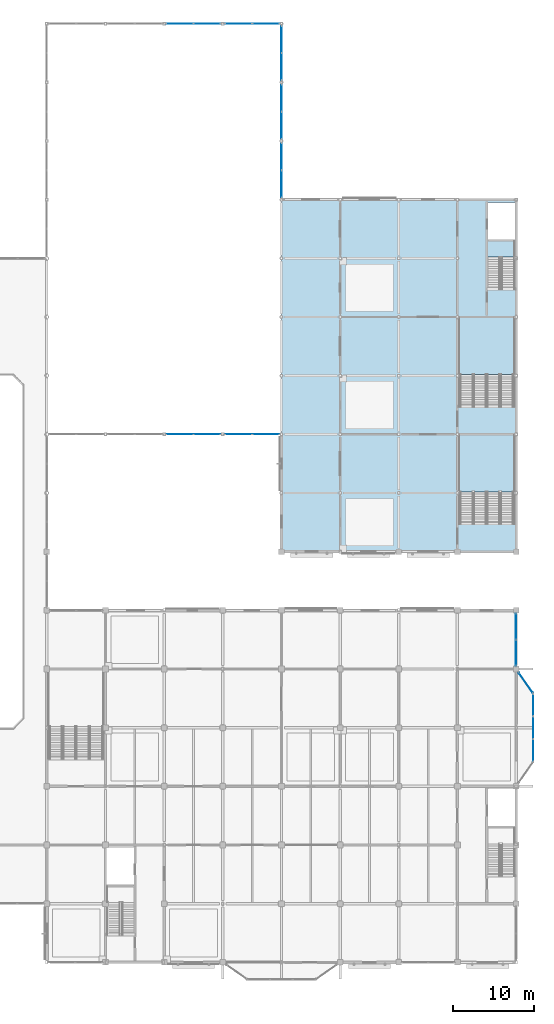
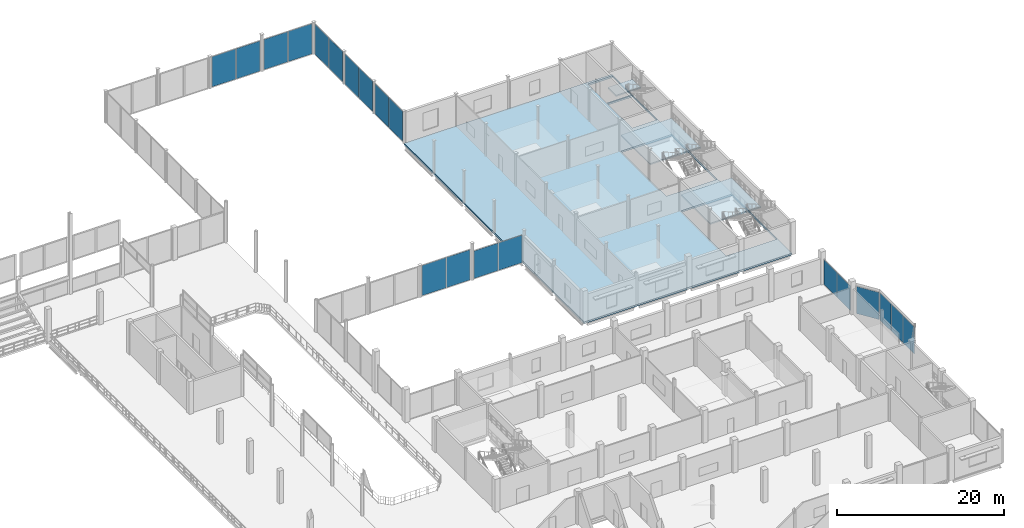
# One storey, part 85 of 120: 20 plates, 4 slabs, 13 elements without a shape of their own.
"""IFC4 building model written with IfcOpenShell, lengths in metres."""

from ifc_helpers import new_model, si_unit, direction, frame, origin, origin_2d, place, context, subcontext, project, spatial, polyline, rectangle, outline, extrude, material, layer, layer_set, type_object, element, aggregate, save


model = new_model("IFC4")

# Units and contexts
model_context = context("Model", 3, precision=1e-05, world=origin(), true_north=direction((0.0, 1.0)))
body_context = subcontext(model_context, "Body", "Model", "MODEL_VIEW")
ifc_project = project(units=[si_unit("LENGTHUNIT", "METRE"), si_unit("AREAUNIT", "SQUARE_METRE"), si_unit("VOLUMEUNIT", "CUBIC_METRE"), si_unit("PLANEANGLEUNIT", "RADIAN"), si_unit("MASSUNIT", "GRAM", prefix="KILO")], contexts=[model_context])

# Site, building, storey
site_placement = place(None, origin())
site = spatial("IfcSite", under=ifc_project, at=site_placement, CompositionType="ELEMENT")
building_placement = place(site_placement, origin())
building = spatial("IfcBuilding", under=site, at=building_placement, Name="Vesperath Aquatics Centre", CompositionType="ELEMENT")
storey_placement = place(building_placement, frame((0.0, 0.0, 10.199951171875)))
storey = spatial("IfcBuildingStorey", under=building, at=storey_placement, Name="L02", CompositionType="ELEMENT", Elevation=10.199951171875)

# Curtain wall, plates
ifc_material_1 = material(Name="Thermally broken anodised bronze aluminium curtain wall", Category="aluminium")
curtain_wall_type = type_object("IfcCurtainWallType", Name="CW-06", PredefinedType="NOTDEFINED", material=ifc_material_1)
curtain_wall_1_placement = place(storey_placement, origin())
curtain_wall_1 = element("IfcCurtainWall", 1, at=curtain_wall_1_placement, inside=storey, type_object=curtain_wall_type, Name="Facade Curtain Wall CW06 L02_S_18_09", PredefinedType="NOTDEFINED")
ifc_material_2 = material(Name="Triple low-E argon insulated vision glass", Category="glass")
ifc_layer_1 = layer(ifc_material_2, 0.035888671875)
ifc_layer_set_1 = layer_set([ifc_layer_1], Name="Triple low-E argon insulated vision glass")
plate_type = type_object("IfcPlateType", Name="PT-CWP05", PredefinedType="CURTAIN_PANEL", material=ifc_layer_set_1)
plate_1_placement = place(storey_placement, frame((131.51904296875, 64.800048828125, 0.070068359375), z_axis=(0.0, 0.0, 1.0), x_axis=(1.0, 0.0, 0.0)))
plate_1 = element("IfcPlate", 2, at=plate_1_placement, type_object=plate_type, Name="CW06 panel 1.1", PredefinedType="CURTAIN_PANEL", context=body_context, shape_type="SweptSolid", body=[
    extrude(rectangle(XDim=3.291748046875, YDim=0.035888671875, at=origin_2d()), origin(), (0.0, 0.0, 1.0), 4.419921875),
])
plate_2_placement = place(storey_placement, frame((134.880859375, 64.800048828125, 0.070068359375), z_axis=(0.0, 0.0, 1.0), x_axis=(1.0, 0.0, 0.0)))
plate_2 = element("IfcPlate", 3, at=plate_2_placement, type_object=plate_type, Name="CW06 panel 2.1", PredefinedType="CURTAIN_PANEL", context=body_context, shape_type="SweptSolid", body=[
    extrude(rectangle(XDim=3.291748046875, YDim=0.035888671875, at=origin_2d()), origin(), (0.0, 0.0, 1.0), 4.419921875),
])
aggregate(curtain_wall_1, [plate_1, plate_2])

curtain_wall_2_placement = place(storey_placement, origin())
curtain_wall_2 = element("IfcCurtainWall", 4, at=curtain_wall_2_placement, inside=storey, type_object=curtain_wall_type, Name="Facade Curtain Wall CW06 L02_S_19_09", PredefinedType="NOTDEFINED")
plate_3_placement = place(storey_placement, frame((138.718994140625, 64.800048828125, 0.06982421875), z_axis=(0.0, 0.0, 1.0), x_axis=(1.0, 0.0, 0.0)))
plate_3 = element("IfcPlate", 5, at=plate_3_placement, type_object=plate_type, Name="CW06 panel 1.1", PredefinedType="CURTAIN_PANEL", context=body_context, shape_type="SweptSolid", body=[
    extrude(rectangle(XDim=3.291748046875, YDim=0.035888671875, at=origin_2d()), origin(), (0.0, 0.0, 1.0), 4.030029296875),
])
plate_4_placement = place(storey_placement, frame((142.080810546875, 64.800048828125, 0.06982421875), z_axis=(0.0, 0.0, 1.0), x_axis=(1.0, 0.0, 0.0)))
plate_4 = element("IfcPlate", 6, at=plate_4_placement, type_object=plate_type, Name="CW06 panel 2.1", PredefinedType="CURTAIN_PANEL", context=body_context, shape_type="SweptSolid", body=[
    extrude(rectangle(XDim=3.291748046875, YDim=0.035888671875, at=origin_2d()), origin(), (0.0, 0.0, 1.0), 4.030029296875),
])
aggregate(curtain_wall_2, [plate_3, plate_4])

curtain_wall_3_placement = place(storey_placement, origin())
curtain_wall_3 = element("IfcCurtainWall", 7, at=curtain_wall_3_placement, inside=storey, type_object=curtain_wall_type, Name="Facade Curtain Wall CW06 L02_N_18_16", PredefinedType="NOTDEFINED")
plate_5_placement = place(storey_placement, frame((131.51904296875, 115.199951171875, 0.070068359375), z_axis=(0.0, 0.0, 1.0), x_axis=(1.0, 0.0, 0.0)))
plate_5 = element("IfcPlate", 8, at=plate_5_placement, type_object=plate_type, Name="CW06 panel 1.1", PredefinedType="CURTAIN_PANEL", context=body_context, shape_type="SweptSolid", body=[
    extrude(rectangle(XDim=3.291748046875, YDim=0.035888671875, at=origin_2d()), origin(), (0.0, 0.0, 1.0), 4.419921875),
])
plate_6_placement = place(storey_placement, frame((134.880859375, 115.199951171875, 0.070068359375), z_axis=(0.0, 0.0, 1.0), x_axis=(1.0, 0.0, 0.0)))
plate_6 = element("IfcPlate", 9, at=plate_6_placement, type_object=plate_type, Name="CW06 panel 2.1", PredefinedType="CURTAIN_PANEL", context=body_context, shape_type="SweptSolid", body=[
    extrude(rectangle(XDim=3.291748046875, YDim=0.035888671875, at=origin_2d()), origin(), (0.0, 0.0, 1.0), 4.419921875),
])
aggregate(curtain_wall_3, [plate_5, plate_6])

curtain_wall_4_placement = place(storey_placement, origin())
curtain_wall_4 = element("IfcCurtainWall", 10, at=curtain_wall_4_placement, inside=storey, type_object=curtain_wall_type, Name="Facade Curtain Wall CW06 L02_N_19_16", PredefinedType="NOTDEFINED")
plate_7_placement = place(storey_placement, frame((138.718994140625, 115.199951171875, 0.070068359375), z_axis=(0.0, 0.0, 1.0), x_axis=(1.0, 0.0, 0.0)))
plate_7 = element("IfcPlate", 11, at=plate_7_placement, type_object=plate_type, Name="CW06 panel 1.1", PredefinedType="CURTAIN_PANEL", context=body_context, shape_type="SweptSolid", body=[
    extrude(rectangle(XDim=3.291748046875, YDim=0.035888671875, at=origin_2d()), origin(), (0.0, 0.0, 1.0), 4.419921875),
])
plate_8_placement = place(storey_placement, frame((142.080810546875, 115.199951171875, 0.070068359375), z_axis=(0.0, 0.0, 1.0), x_axis=(1.0, 0.0, 0.0)))
plate_8 = element("IfcPlate", 12, at=plate_8_placement, type_object=plate_type, Name="CW06 panel 2.1", PredefinedType="CURTAIN_PANEL", context=body_context, shape_type="SweptSolid", body=[
    extrude(rectangle(XDim=3.291748046875, YDim=0.035888671875, at=origin_2d()), origin(), (0.0, 0.0, 1.0), 4.419921875),
])
aggregate(curtain_wall_4, [plate_7, plate_8])

curtain_wall_5_placement = place(storey_placement, origin())
curtain_wall_5 = element("IfcCurtainWall", 13, at=curtain_wall_5_placement, inside=storey, type_object=curtain_wall_type, Name="Facade Curtain Wall CW06 L02_E_20_13", PredefinedType="NOTDEFINED")
plate_9_placement = place(storey_placement, frame((144.0, 95.51904296875, 0.070068359375), z_axis=(0.0, 0.0, 1.0), x_axis=(0.0, 1.0, 0.0)))
plate_9 = element("IfcPlate", 14, at=plate_9_placement, type_object=plate_type, Name="CW06 panel 1.1", PredefinedType="CURTAIN_PANEL", context=body_context, shape_type="SweptSolid", body=[
    extrude(rectangle(XDim=3.291748046875, YDim=0.035888671875, at=origin_2d()), origin(), (0.0, 0.0, 1.0), 4.419921875),
])
plate_10_placement = place(storey_placement, frame((144.0, 98.880859375, 0.070068359375), z_axis=(0.0, 0.0, 1.0), x_axis=(0.0, 1.0, 0.0)))
plate_10 = element("IfcPlate", 15, at=plate_10_placement, type_object=plate_type, Name="CW06 panel 2.1", PredefinedType="CURTAIN_PANEL", context=body_context, shape_type="SweptSolid", body=[
    extrude(rectangle(XDim=3.291748046875, YDim=0.035888671875, at=origin_2d()), origin(), (0.0, 0.0, 1.0), 4.419921875),
])
aggregate(curtain_wall_5, [plate_9, plate_10])

curtain_wall_6_placement = place(storey_placement, origin())
curtain_wall_6 = element("IfcCurtainWall", 16, at=curtain_wall_6_placement, inside=storey, type_object=curtain_wall_type, Name="Facade Curtain Wall CW06 L02_E_20_14", PredefinedType="NOTDEFINED")
plate_11_placement = place(storey_placement, frame((144.0, 102.718994140625, 0.070068359375), z_axis=(0.0, 0.0, 1.0), x_axis=(0.0, 1.0, 0.0)))
plate_11 = element("IfcPlate", 17, at=plate_11_placement, type_object=plate_type, Name="CW06 panel 1.1", PredefinedType="CURTAIN_PANEL", context=body_context, shape_type="SweptSolid", body=[
    extrude(rectangle(XDim=3.291748046875, YDim=0.035888671875, at=origin_2d()), origin(), (0.0, 0.0, 1.0), 4.419921875),
])
plate_12_placement = place(storey_placement, frame((144.0, 106.080810546875, 0.070068359375), z_axis=(0.0, 0.0, 1.0), x_axis=(0.0, 1.0, 0.0)))
plate_12 = element("IfcPlate", 18, at=plate_12_placement, type_object=plate_type, Name="CW06 panel 2.1", PredefinedType="CURTAIN_PANEL", context=body_context, shape_type="SweptSolid", body=[
    extrude(rectangle(XDim=3.291748046875, YDim=0.035888671875, at=origin_2d()), origin(), (0.0, 0.0, 1.0), 4.419921875),
])
aggregate(curtain_wall_6, [plate_11, plate_12])

curtain_wall_7_placement = place(storey_placement, origin())
curtain_wall_7 = element("IfcCurtainWall", 19, at=curtain_wall_7_placement, inside=storey, type_object=curtain_wall_type, Name="Facade Curtain Wall CW06 L02_E_20_15", PredefinedType="NOTDEFINED")
plate_13_placement = place(storey_placement, frame((144.0, 109.919189453125, 0.070068359375), z_axis=(0.0, 0.0, 1.0), x_axis=(0.0, 1.0, 0.0)))
plate_13 = element("IfcPlate", 20, at=plate_13_placement, type_object=plate_type, Name="CW06 panel 1.1", PredefinedType="CURTAIN_PANEL", context=body_context, shape_type="SweptSolid", body=[
    extrude(rectangle(XDim=3.291748046875, YDim=0.035888671875, at=origin_2d()), origin(), (0.0, 0.0, 1.0), 4.419921875),
])
plate_14_placement = place(storey_placement, frame((144.0, 113.281005859375, 0.070068359375), z_axis=(0.0, 0.0, 1.0), x_axis=(0.0, 1.0, 0.0)))
plate_14 = element("IfcPlate", 21, at=plate_14_placement, type_object=plate_type, Name="CW06 panel 2.1", PredefinedType="CURTAIN_PANEL", context=body_context, shape_type="SweptSolid", body=[
    extrude(rectangle(XDim=3.291748046875, YDim=0.035888671875, at=origin_2d()), origin(), (0.0, 0.0, 1.0), 4.419921875),
])
aggregate(curtain_wall_7, [plate_13, plate_14])

curtain_wall_8_placement = place(storey_placement, origin())
curtain_wall_8 = element("IfcCurtainWall", 22, at=curtain_wall_8_placement, inside=storey, type_object=curtain_wall_type, Name="Facade Curtain Wall CW06 L02_E_24_05", PredefinedType="NOTDEFINED")
plate_15_placement = place(storey_placement, frame((172.800048828125, 37.992431640625, 0.070068359375), z_axis=(0.0, 0.0, 1.0), x_axis=(0.0, 1.0, 0.0)))
plate_15 = element("IfcPlate", 23, at=plate_15_placement, type_object=plate_type, Name="CW06 panel 1.1", PredefinedType="CURTAIN_PANEL", context=body_context, shape_type="SweptSolid", body=[
    extrude(rectangle(XDim=3.14501953125, YDim=0.035888671875, at=origin_2d()), origin(), (0.0, 0.0, 1.0), 3.6201171875),
])
plate_16_placement = place(storey_placement, frame((172.800048828125, 41.20751953125, 0.070068359375), z_axis=(0.0, 0.0, 1.0), x_axis=(0.0, 1.0, 0.0)))
plate_16 = element("IfcPlate", 24, at=plate_16_placement, type_object=plate_type, Name="CW06 panel 2.1", PredefinedType="CURTAIN_PANEL", context=body_context, shape_type="SweptSolid", body=[
    extrude(rectangle(XDim=3.14501953125, YDim=0.035888671875, at=origin_2d()), origin(), (0.0, 0.0, 1.0), 3.6201171875),
])
aggregate(curtain_wall_8, [plate_15, plate_16])

curtain_wall_9_placement = place(storey_placement, origin())
curtain_wall_9 = element("IfcCurtainWall", 25, at=curtain_wall_9_placement, inside=storey, type_object=curtain_wall_type, Name="East Avenue Bow Oriel Curtain Wall L02-C", PredefinedType="NOTDEFINED")
plate_17_placement = place(storey_placement, frame((174.89990234375, 26.017578125, 0.06982421875), z_axis=(0.0, 0.0, 1.0), x_axis=(0.0, 1.0, 0.0)))
plate_17 = element("IfcPlate", 26, at=plate_17_placement, type_object=plate_type, Name="CW06 panel 1.1", PredefinedType="CURTAIN_PANEL", context=body_context, shape_type="SweptSolid", body=[
    extrude(rectangle(XDim=2.695068359375, YDim=0.035888671875, at=origin_2d()), origin(), (0.0, 0.0, 1.0), 3.969970703125),
])
plate_18_placement = place(storey_placement, frame((174.89990234375, 28.800048828125, 0.06982421875), z_axis=(0.0, 0.0, 1.0), x_axis=(0.0, 1.0, 0.0)))
plate_18 = element("IfcPlate", 27, at=plate_18_placement, type_object=plate_type, Name="CW06 panel 2.1", PredefinedType="CURTAIN_PANEL", context=body_context, shape_type="SweptSolid", body=[
    extrude(rectangle(XDim=2.72998046875, YDim=0.035888671875, at=origin_2d()), origin(), (0.0, 0.0, 1.0), 3.969970703125),
])
plate_19_placement = place(storey_placement, frame((174.89990234375, 31.58251953125, 0.06982421875), z_axis=(0.0, 0.0, 1.0), x_axis=(0.0, 1.0, 0.0)))
plate_19 = element("IfcPlate", 28, at=plate_19_placement, type_object=plate_type, Name="CW06 panel 3.1", PredefinedType="CURTAIN_PANEL", context=body_context, shape_type="SweptSolid", body=[
    extrude(rectangle(XDim=2.695068359375, YDim=0.035888671875, at=origin_2d()), origin(), (0.0, 0.0, 1.0), 3.969970703125),
])
aggregate(curtain_wall_9, [plate_17, plate_18, plate_19])

# Curtain wall, plate
curtain_wall_10_placement = place(storey_placement, origin())
curtain_wall_10 = element("IfcCurtainWall", 29, at=curtain_wall_10_placement, inside=storey, type_object=curtain_wall_type, Name="East Avenue Bow Oriel Curtain Wall L02-N", PredefinedType="NOTDEFINED")
plate_20_placement = place(storey_placement, frame((174.00048828125, 34.284912109375, 0.06982421875), z_axis=(0.0, 0.0, 1.0), x_axis=(-0.57346234437, 0.819231920515, 0.0)))
plate_20 = element("IfcPlate", 30, at=plate_20_placement, type_object=plate_type, Name="CW06 panel 1.1", PredefinedType="CURTAIN_PANEL", context=body_context, shape_type="SweptSolid", body=[
    extrude(rectangle(XDim=2.9970703125, YDim=0.035888671875, at=origin_2d()), origin(), (0.0, 0.0, 1.0), 3.969970703125),
])
aggregate(curtain_wall_10, [plate_20])

# Slab
ifc_material_3 = material(Name="Concrete C35", Category="concrete")
ifc_layer_2 = layer(ifc_material_3, 0.260009765625)
ifc_layer_set_2 = layer_set([ifc_layer_2], Name="Concrete C35")
slab_type_1 = type_object("IfcSlabType", Name="SL-FL02", PredefinedType="FLOOR", material=ifc_layer_set_2)
slab_1_placement = place(storey_placement, frame((0.0, 0.0, -0.260009765625)))
element("IfcSlab", 31, at=slab_1_placement, inside=storey, type_object=slab_type_1, Name="Aquatics Club and Classroom Slab SL02 L02", PredefinedType="FLOOR", context=body_context, shape_type="SweptSolid", body=[
    extrude(outline(polyline([(144.0, 50.39990234375), (172.800048828125, 50.39990234375), (172.800048828125, 93.60009765625), (144.0, 93.60009765625), (144.0, 50.39990234375)]), holes=[polyline([(169.260009765625, 82.64990234375), (172.719970703125, 82.64990234375), (172.719970703125, 88.56005859375), (169.260009765625, 88.56005859375), (169.260009765625, 82.64990234375)]), polyline([(169.260009765625, 88.739990234375), (172.719970703125, 88.739990234375), (172.719970703125, 93.280029296875), (169.260009765625, 93.280029296875), (169.260009765625, 88.739990234375)]), polyline([(165.679931640625, 53.85009765625), (172.719970703125, 53.85009765625), (172.719970703125, 64.719970703125), (165.679931640625, 64.719970703125), (165.679931640625, 53.85009765625)]), polyline([(165.679931640625, 68.25), (172.719970703125, 68.25), (172.719970703125, 79.1201171875), (165.679931640625, 79.1201171875), (165.679931640625, 68.25)])]), origin(), (0.0, 0.0, 1.0), 0.260009765625),
])

# Stair, slab
stair_type_1 = type_object("IfcStairType", Name="ST-HW48", PredefinedType="HALF_TURN_STAIR", material=ifc_material_3)
stair_1_placement = place(storey_placement, origin())
stair_1 = element("IfcStair", 32, at=stair_1_placement, inside=storey, type_object=stair_type_1, Name="Enclosed Exit Stair ST13A L02", PredefinedType="HALF_TURN_STAIR")
ifc_layer_3 = layer(ifc_material_3, 0.199951171875)
ifc_layer_set_3 = layer_set([ifc_layer_3], Name="Concrete C35")
slab_type_2 = type_object("IfcSlabType", Name="SL-LND1", PredefinedType="LANDING", material=ifc_layer_set_3)
slab_2_placement = place(storey_placement, frame((0.0, 0.0, 2.199951171875)))
slab_2 = element("IfcSlab", 33, at=slab_2_placement, type_object=slab_type_2, Name="Stairs ST13A and ST13B Half-Landing L02", PredefinedType="LANDING", context=body_context, shape_type="SweptSolid", body=[
    extrude(outline(polyline([(165.68994140625, 72.139892578125), (172.7099609375, 72.139892578125), (172.7099609375, 79.110107421875), (165.68994140625, 79.110107421875), (165.68994140625, 72.139892578125)])), origin(), (0.0, 0.0, 1.0), 0.2001953125),
])
aggregate(stair_1, [slab_2])

stair_type_2 = type_object("IfcStairType", Name="ST-HT48", PredefinedType="HALF_TURN_STAIR", material=ifc_material_3)
stair_2_placement = place(storey_placement, origin())
stair_2 = element("IfcStair", 34, at=stair_2_placement, inside=storey, type_object=stair_type_2, Name="Enclosed Exit Stair ST4 L02", PredefinedType="HALF_TURN_STAIR")
ifc_layer_4 = layer(ifc_material_3, 0.18994140625)
ifc_layer_set_4 = layer_set([ifc_layer_4], Name="Concrete C35")
slab_type_3 = type_object("IfcSlabType", Name="SL-LND2", PredefinedType="LANDING", material=ifc_layer_set_4)
slab_3_placement = place(storey_placement, frame((0.0, 0.0, 2.2099609375)))
slab_3 = element("IfcSlab", 35, at=slab_3_placement, type_object=slab_type_3, Name="Stair ST4 Half-Landing L02", PredefinedType="LANDING", context=body_context, shape_type="SweptSolid", body=[
    extrude(outline(polyline([(169.280029296875, 86.5400390625), (172.7099609375, 86.5400390625), (172.7099609375, 88.5), (169.280029296875, 88.5), (169.280029296875, 86.5400390625)])), origin(), (0.0, 0.0, 1.0), 0.190185546875),
])
aggregate(stair_2, [slab_3])

stair_3_placement = place(storey_placement, origin())
stair_3 = element("IfcStair", 36, at=stair_3_placement, inside=storey, type_object=stair_type_1, Name="Enclosed Exit Stair ST12A L02", PredefinedType="HALF_TURN_STAIR")
slab_4_placement = place(storey_placement, frame((0.0, 0.0, 2.2099609375)))
slab_4 = element("IfcSlab", 37, at=slab_4_placement, type_object=slab_type_3, Name="Stairs ST12A and ST12B Half-Landing L02", PredefinedType="LANDING", context=body_context, shape_type="SweptSolid", body=[
    extrude(outline(polyline([(165.68994140625, 57.739990234375), (172.7099609375, 57.739990234375), (172.7099609375, 64.7099609375), (165.68994140625, 64.7099609375), (165.68994140625, 57.739990234375)])), origin(), (0.0, 0.0, 1.0), 0.190185546875),
])
aggregate(stair_3, [slab_4])

save(model, "model.ifc")
